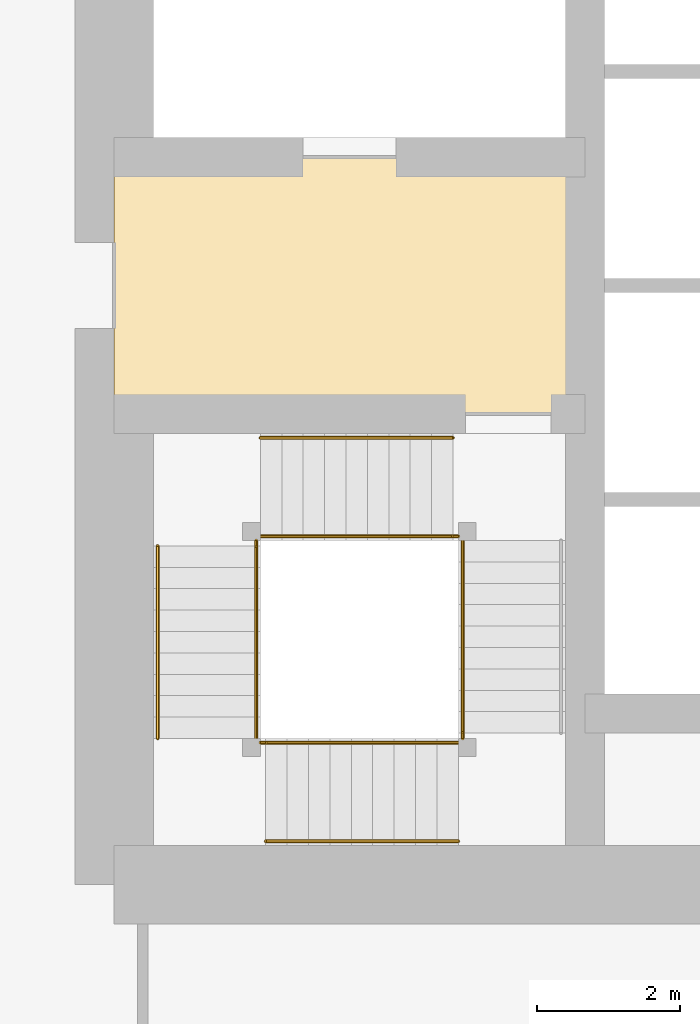
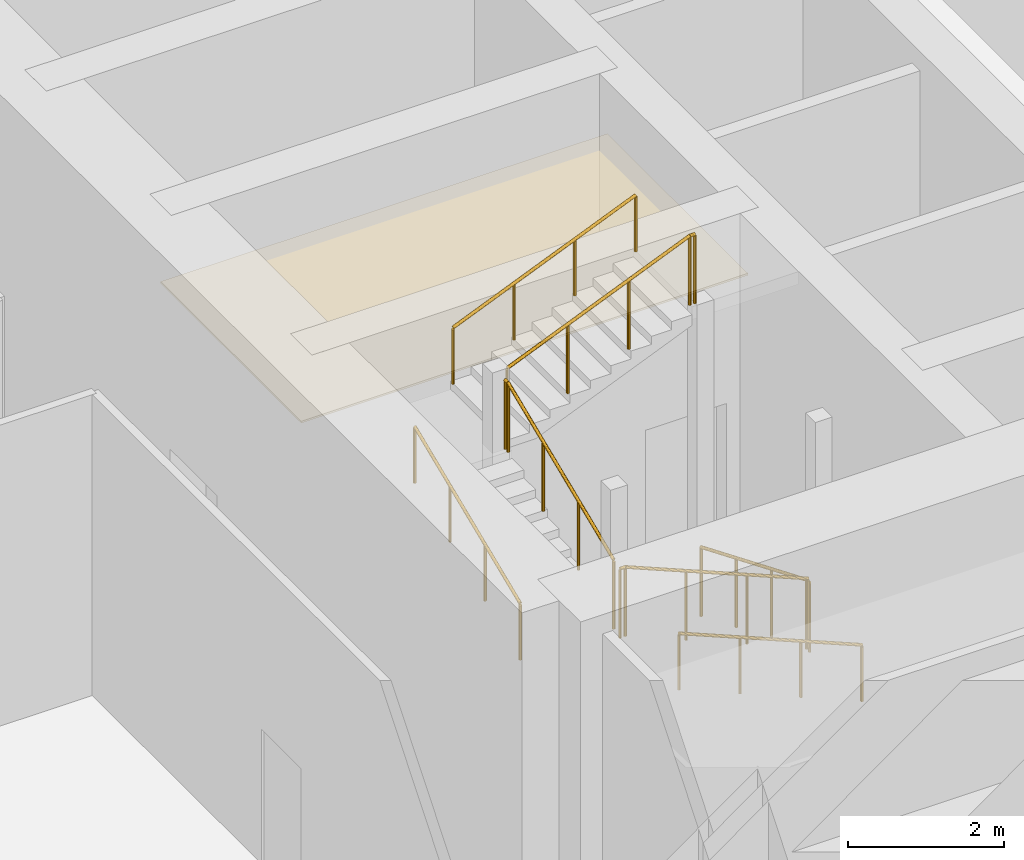
# One storey, part 42 of 49: 11 railings, 1 covering.
"""IFC4 building model written with IfcOpenShell, lengths in metres."""

from ifc_helpers import new_model, si_unit, direction, frame, origin, origin_2d, place, context, subcontext, project, spatial, polyline, circle, outline, extrude, material, layer, layer_set, type_object, element, save


model = new_model("IFC4")

# Units and contexts
model_context = context("Model", 3, precision=1e-05, world=origin(), true_north=direction((0.0, 1.0)))
body_context = subcontext(model_context, "Body", "Model", "MODEL_VIEW")
ifc_project = project(units=[si_unit("LENGTHUNIT", "METRE"), si_unit("AREAUNIT", "SQUARE_METRE"), si_unit("VOLUMEUNIT", "CUBIC_METRE"), si_unit("PLANEANGLEUNIT", "RADIAN"), si_unit("MASSUNIT", "GRAM", prefix="KILO")], contexts=[model_context])

# Site, building, storey
site_placement = place(None, origin())
site = spatial("IfcSite", under=ifc_project, at=site_placement, CompositionType="ELEMENT")
building_placement = place(site_placement, origin())
building = spatial("IfcBuilding", under=site, at=building_placement, Name="Rekha Terrace Tower", CompositionType="ELEMENT")
storey_placement = place(building_placement, frame((0.0, 0.0, 5.39990234375)))
storey = spatial("IfcBuildingStorey", under=building, at=storey_placement, Name="L01", CompositionType="ELEMENT", Elevation=5.39990234375)

# Covering
ifc_material_1 = material(Name="Powder-coated aluminium pan", Category="aluminium")
ifc_layer = layer(ifc_material_1, 0.030029296875)
ifc_layer_set = layer_set([ifc_layer], Name="Powder-coated aluminium pan")
covering_type = type_object("IfcCoveringType", Name="CL3 300x1200 metal pan ceiling", PredefinedType="CEILING", material=ifc_layer_set)
covering_placement = place(storey_placement, frame((0.0, 0.0, 3.77001953125)))
element("IfcCovering", 1, at=covering_placement, inside=storey, type_object=covering_type, Name="Ceiling L01-FLB1", PredefinedType="CEILING", context=body_context, shape_type="SweptSolid", body=[
    extrude(outline(polyline([(31.800048828125, 31.199951171875), (25.199951171875, 31.199951171875), (25.199951171875, 27.60009765625), (31.800048828125, 27.60009765625), (31.800048828125, 31.199951171875)])), origin(), (0.0, 0.0, 1.0), 0.030029296875),
])

# Railings
ifc_material_2 = material(Name="Stainless steel balustrade", Category="steel")
railing_type_1 = type_object("IfcRailingType", Name="GR1 1100 stair guard", PredefinedType="GUARDRAIL", material=ifc_material_2)
railing_1_placement = place(storey_placement, frame((30.0849609375, 25.824951171875, 0.125)))
element("IfcRailing", 2, at=railing_1_placement, inside=storey, type_object=railing_type_1, Name="Guard ST1 L01 flight 1", PredefinedType="GUARDRAIL", context=body_context, shape_type="SweptSolid", body=[
    extrude(circle(Radius=0.02392578125, at=origin_2d()), frame((0.0, 0.0, 1.076171875), z_axis=(0.0, -0.923074453586, 0.384621311341), x_axis=(1.0, 0.0, 0.0)), (0.0, 0.0, 1.0), 2.925048828125),
    extrude(circle(Radius=0.02099609375, at=origin_2d()), origin(), (0.0, 0.0, 1.0), 1.052001953125),
    extrude(circle(Radius=0.02099609375, at=origin_2d()), frame((0.0, -0.89990234375, 0.375)), (0.0, 0.0, 1.0), 1.052001953125),
    extrude(circle(Radius=0.02099609375, at=origin_2d()), frame((0.0, -1.800048828125, 0.75)), (0.0, 0.0, 1.0), 1.052001953125),
    extrude(circle(Radius=0.02099609375, at=origin_2d()), frame((0.0, -2.699951171875, 1.125)), (0.0, 0.0, 1.0), 1.052001953125),
])
railing_2_placement = place(storey_placement, frame((30.02490234375, 22.989990234375, 1.375)))
element("IfcRailing", 3, at=railing_2_placement, inside=storey, type_object=railing_type_1, Name="Guard ST1 L01 flight 2", PredefinedType="GUARDRAIL", context=body_context, shape_type="SweptSolid", body=[
    extrude(circle(Radius=0.02392578125, at=origin_2d()), frame((0.0, 0.0, 1.076171875), z_axis=(-0.923074453586, 0.0, 0.384621311341), x_axis=(0.0, -1.0, 0.0)), (0.0, 0.0, 1.0), 2.925048828125),
    extrude(circle(Radius=0.02099609375, at=origin_2d()), origin(), (0.0, 0.0, 1.0), 1.052001953125),
    extrude(circle(Radius=0.02099609375, at=origin_2d()), frame((-0.89990234375, 0.0, 0.375)), (0.0, 0.0, 1.0), 1.052001953125),
    extrude(circle(Radius=0.02099609375, at=origin_2d()), frame((-1.800048828125, 0.0, 0.75)), (0.0, 0.0, 1.0), 1.052001953125),
    extrude(circle(Radius=0.02099609375, at=origin_2d()), frame((-2.699951171875, 0.0, 1.125)), (0.0, 0.0, 1.0), 1.052001953125),
])
railing_3_placement = place(storey_placement, frame((27.18994140625, 23.050048828125, 2.625)))
element("IfcRailing", 4, at=railing_3_placement, inside=storey, type_object=railing_type_1, Name="Guard ST1 L01 flight 3", PredefinedType="GUARDRAIL", context=body_context, shape_type="SweptSolid", body=[
    extrude(circle(Radius=0.02392578125, at=origin_2d()), frame((0.0, 0.0, 1.076171875), z_axis=(0.0, 0.923074453586, 0.384621311341), x_axis=(-1.0, 0.0, 0.0)), (0.0, 0.0, 1.0), 2.925048828125),
    extrude(circle(Radius=0.02099609375, at=origin_2d()), origin(), (0.0, 0.0, 1.0), 1.052001953125),
    extrude(circle(Radius=0.02099609375, at=origin_2d()), frame((0.0, 0.89990234375, 0.375)), (0.0, 0.0, 1.0), 1.052001953125),
    extrude(circle(Radius=0.02099609375, at=origin_2d()), frame((0.0, 1.800048828125, 0.75)), (0.0, 0.0, 1.0), 1.052001953125),
    extrude(circle(Radius=0.02099609375, at=origin_2d()), frame((0.0, 2.699951171875, 1.125)), (0.0, 0.0, 1.0), 1.052001953125),
])
railing_4_placement = place(storey_placement, frame((27.25, 25.885009765625, 3.875)))
element("IfcRailing", 5, at=railing_4_placement, inside=storey, type_object=railing_type_1, Name="Guard ST1 L01 flight 4", PredefinedType="GUARDRAIL", context=body_context, shape_type="SweptSolid", body=[
    extrude(circle(Radius=0.02392578125, at=origin_2d()), frame((0.0, 0.0, 1.076171875), z_axis=(0.923074453586, 0.0, 0.384621311341), x_axis=(0.0, 1.0, 0.0)), (0.0, 0.0, 1.0), 2.925048828125),
    extrude(circle(Radius=0.02099609375, at=origin_2d()), origin(), (0.0, 0.0, 1.0), 1.052001953125),
    extrude(circle(Radius=0.02099609375, at=origin_2d()), frame((0.89990234375, 0.0, 0.375)), (0.0, 0.0, 1.0), 1.052001953125),
    extrude(circle(Radius=0.02099609375, at=origin_2d()), frame((1.800048828125, 0.0, 0.75)), (0.0, 0.0, 1.0), 1.052001953125),
    extrude(circle(Radius=0.02099609375, at=origin_2d()), frame((2.699951171875, 0.0, 1.125)), (0.0, 0.0, 1.0), 1.052001953125),
])
railing_5_placement = place(storey_placement, frame((30.0849609375, 23.125, 1.25)))
element("IfcRailing", 6, at=railing_5_placement, inside=storey, type_object=railing_type_1, Name="Guard ST1 L01 landing 1", PredefinedType="GUARDRAIL", context=body_context, shape_type="SweptSolid", body=[
    extrude(circle(Radius=0.02392578125, at=origin_2d()), frame((0.0, 0.0, 1.076171875), z_axis=(0.0, -1.0, 0.0), x_axis=(1.0, 0.0, 0.0)), (0.0, 0.0, 1.0), 0.074951171875),
    extrude(circle(Radius=0.02099609375, at=origin_2d()), origin(), (0.0, 0.0, 1.0), 1.052001953125),
    extrude(circle(Radius=0.02099609375, at=origin_2d()), frame((0.0, -0.074951171875, 0.0)), (0.0, 0.0, 1.0), 1.052001953125),
])
railing_6_placement = place(storey_placement, frame((27.324951171875, 22.989990234375, 2.5)))
element("IfcRailing", 7, at=railing_6_placement, inside=storey, type_object=railing_type_1, Name="Guard ST1 L01 landing 2", PredefinedType="GUARDRAIL", context=body_context, shape_type="SweptSolid", body=[
    extrude(circle(Radius=0.02392578125, at=origin_2d()), frame((0.0, 0.0, 1.076171875), z_axis=(-1.0, 0.0, 0.0), x_axis=(0.0, -1.0, 0.0)), (0.0, 0.0, 1.0), 0.074951171875),
    extrude(circle(Radius=0.02099609375, at=origin_2d()), origin(), (0.0, 0.0, 1.0), 1.052001953125),
    extrude(circle(Radius=0.02099609375, at=origin_2d()), frame((-0.074951171875, 0.0, 0.0)), (0.0, 0.0, 1.0), 1.052001953125),
])
railing_7_placement = place(storey_placement, frame((27.18994140625, 25.824951171875, 3.75)))
element("IfcRailing", 8, at=railing_7_placement, inside=storey, type_object=railing_type_1, Name="Guard ST1 L01 landing 3", PredefinedType="GUARDRAIL", context=body_context, shape_type="SweptSolid", body=[
    extrude(circle(Radius=0.02392578125, at=origin_2d()), frame((0.0, 0.0, 1.076171875), z_axis=(0.0, -1.0, 0.0), x_axis=(1.0, 0.0, 0.0)), (0.0, 0.0, 1.0), 0.074951171875),
    extrude(circle(Radius=0.02099609375, at=origin_2d()), origin(), (0.0, 0.0, 1.0), 1.052001953125),
    extrude(circle(Radius=0.02099609375, at=origin_2d()), frame((0.0, -0.074951171875, 0.0)), (0.0, 0.0, 1.0), 1.052001953125),
])
railing_8_placement = place(storey_placement, frame((30.02490234375, 25.885009765625, 5.0)))
element("IfcRailing", 9, at=railing_8_placement, inside=storey, type_object=railing_type_1, Name="Guard ST1 L01 landing 4", PredefinedType="GUARDRAIL", context=body_context, shape_type="SweptSolid", body=[
    extrude(circle(Radius=0.02392578125, at=origin_2d()), frame((0.0, 0.0, 1.076171875), z_axis=(-1.0, 0.0, 0.0), x_axis=(0.0, -1.0, 0.0)), (0.0, 0.0, 1.0), 0.074951171875),
    extrude(circle(Radius=0.02099609375, at=origin_2d()), origin(), (0.0, 0.0, 1.0), 1.052001953125),
    extrude(circle(Radius=0.02099609375, at=origin_2d()), frame((-0.074951171875, 0.0, 0.0)), (0.0, 0.0, 1.0), 1.052001953125),
])
ifc_material_3 = material(Name="Stainless steel tube", Category="steel")
railing_type_2 = type_object("IfcRailingType", Name="HR1 900 stair handrail", PredefinedType="HANDRAIL", material=ifc_material_3)
railing_9_placement = place(storey_placement, frame((30.02490234375, 21.610107421875, 1.375)))
element("IfcRailing", 10, at=railing_9_placement, inside=storey, type_object=railing_type_2, Name="Handrail ST1 L01 flight 2", PredefinedType="HANDRAIL", context=body_context, shape_type="SweptSolid", body=[
    extrude(circle(Radius=0.02392578125, at=origin_2d()), frame((0.0, 0.0, 0.8759765625), z_axis=(-0.923074453586, 0.0, 0.384621311341), x_axis=(0.0, -1.0, 0.0)), (0.0, 0.0, 1.0), 2.925048828125),
    extrude(circle(Radius=0.02099609375, at=origin_2d()), origin(), (0.0, 0.0, 1.0), 0.851806640625),
    extrude(circle(Radius=0.02099609375, at=origin_2d()), frame((-0.89990234375, 0.0, 0.375)), (0.0, 0.0, 1.0), 0.851806640625),
    extrude(circle(Radius=0.02099609375, at=origin_2d()), frame((-1.800048828125, 0.0, 0.75)), (0.0, 0.0, 1.0), 0.851806640625),
    extrude(circle(Radius=0.02099609375, at=origin_2d()), frame((-2.699951171875, 0.0, 1.125)), (0.0, 0.0, 1.0), 0.851806640625),
])
railing_10_placement = place(storey_placement, frame((25.81005859375, 23.050048828125, 2.625)))
element("IfcRailing", 11, at=railing_10_placement, inside=storey, type_object=railing_type_2, Name="Handrail ST1 L01 flight 3", PredefinedType="HANDRAIL", context=body_context, shape_type="SweptSolid", body=[
    extrude(circle(Radius=0.02392578125, at=origin_2d()), frame((0.0, 0.0, 0.8759765625), z_axis=(0.0, 0.923074453586, 0.384621311341), x_axis=(-1.0, 0.0, 0.0)), (0.0, 0.0, 1.0), 2.925048828125),
    extrude(circle(Radius=0.02099609375, at=origin_2d()), origin(), (0.0, 0.0, 1.0), 0.851806640625),
    extrude(circle(Radius=0.02099609375, at=origin_2d()), frame((0.0, 0.89990234375, 0.375)), (0.0, 0.0, 1.0), 0.851806640625),
    extrude(circle(Radius=0.02099609375, at=origin_2d()), frame((0.0, 1.800048828125, 0.75)), (0.0, 0.0, 1.0), 0.851806640625),
    extrude(circle(Radius=0.02099609375, at=origin_2d()), frame((0.0, 2.699951171875, 1.125)), (0.0, 0.0, 1.0), 0.851806640625),
])
railing_11_placement = place(storey_placement, frame((27.25, 27.264892578125, 3.875)))
element("IfcRailing", 12, at=railing_11_placement, inside=storey, type_object=railing_type_2, Name="Handrail ST1 L01 flight 4", PredefinedType="HANDRAIL", context=body_context, shape_type="SweptSolid", body=[
    extrude(circle(Radius=0.02392578125, at=origin_2d()), frame((0.0, 0.0, 0.8759765625), z_axis=(0.923074453586, 0.0, 0.384621311341), x_axis=(0.0, 1.0, 0.0)), (0.0, 0.0, 1.0), 2.925048828125),
    extrude(circle(Radius=0.02099609375, at=origin_2d()), origin(), (0.0, 0.0, 1.0), 0.851806640625),
    extrude(circle(Radius=0.02099609375, at=origin_2d()), frame((0.89990234375, 0.0, 0.375)), (0.0, 0.0, 1.0), 0.851806640625),
    extrude(circle(Radius=0.02099609375, at=origin_2d()), frame((1.800048828125, 0.0, 0.75)), (0.0, 0.0, 1.0), 0.851806640625),
    extrude(circle(Radius=0.02099609375, at=origin_2d()), frame((2.699951171875, 0.0, 1.125)), (0.0, 0.0, 1.0), 0.851806640625),
])

save(model, "model.ifc")
